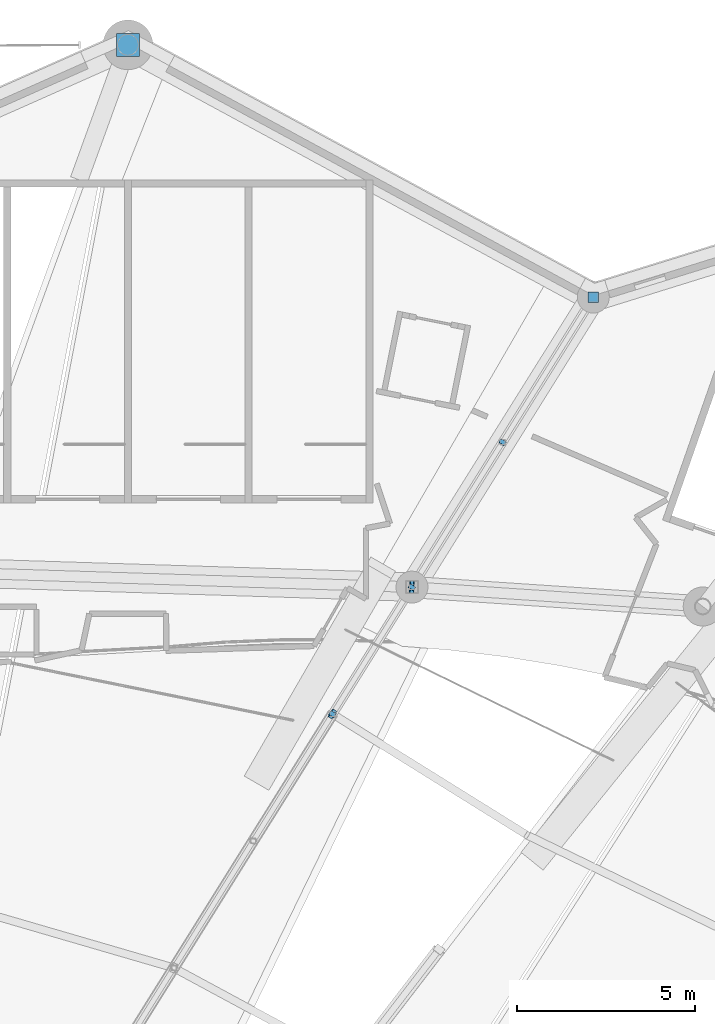
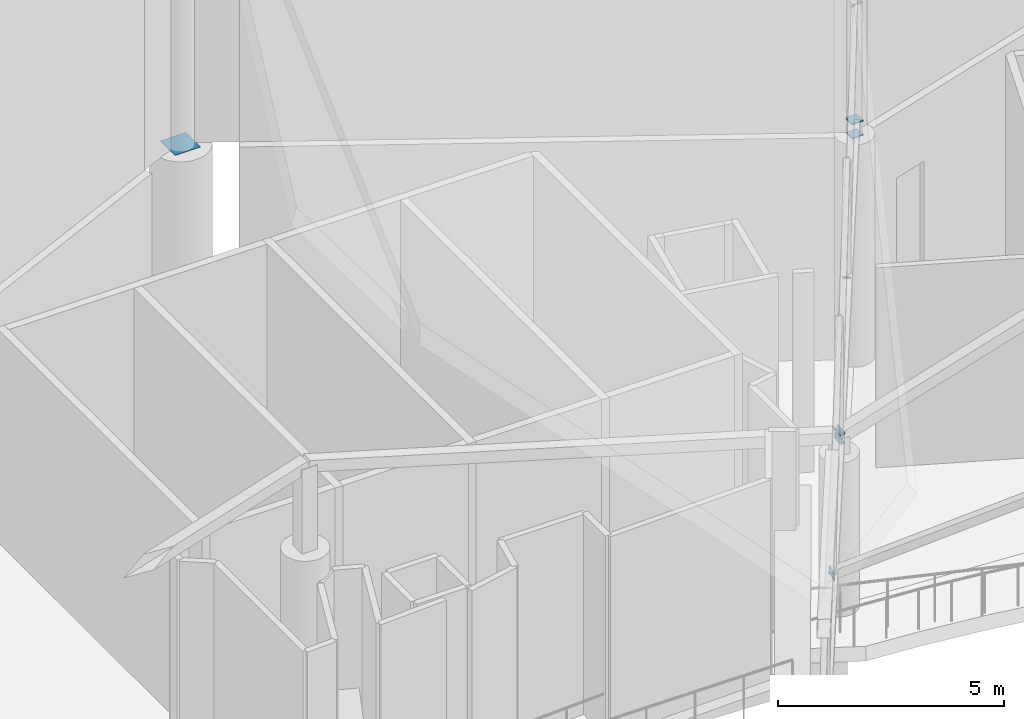
# One storey, part 336 of 344: 10 discrete accessories.
"""IFC4 building model written with IfcOpenShell, lengths in metres."""

import ifcopenshell
import ifcopenshell.guid

model = None  # the IFC model being written
_history = None  # IfcOwnerHistory: only IFC2X3 demands one
_inside = {}  # id of a spatial element -> (the spatial element, [elements in it])
_under = {}  # id of a project, library or spatial element -> (it, [spatial elements below it])
_declared = {}  # id of a project -> (the project, [libraries it declares])
_typed = {}  # id of a type object -> (the type object, [elements of that type])
_made_of = {}  # id of a material, layer set ... -> (it, [elements and type objects made of it])


def new_model(schema):
    """Start an empty IFC model of exactly this schema.

    Asked for "IFC4X3", IfcOpenShell would pick the latest addendum, in which some entities
    have other attributes; the version numbers below select the first issue.
    IFC2X3 requires an IfcOwnerHistory on every rooted entity: one is made here for all.
    """
    global model, _history
    if schema == "IFC4X3":
        model = ifcopenshell.file(schema_version=(4, 3, 0, 0))
    else:
        model = ifcopenshell.file(schema=schema)
    _inside.clear()
    _under.clear()
    _declared.clear()
    _typed.clear()
    _made_of.clear()
    _history = None
    if model.schema == "IFC2X3":
        org = make("IfcOrganization", Name="unknown")
        user = make(
            "IfcPersonAndOrganization",
            ThePerson=make("IfcPerson", FamilyName="unknown"),
            TheOrganization=org,
        )
        app = make(
            "IfcApplication",
            ApplicationDeveloper=org,
            Version="unknown",
            ApplicationFullName="unknown",
            ApplicationIdentifier="unknown",
        )
        _history = make(
            "IfcOwnerHistory",
            OwningUser=user,
            OwningApplication=app,
            ChangeAction="ADDED",
            CreationDate=0,
        )
    return model


def make(cls, **values):
    """One entity of the class cls with the attributes given. An attribute that is None is left unset."""
    return model.create_entity(
        cls, **{name: value for name, value in values.items() if value is not None}
    )


def rooted(cls, **values):
    """An entity with a GlobalId (a new one), such as an element, a storey or a relation."""
    return make(cls, GlobalId=ifcopenshell.guid.new(), OwnerHistory=_history, **values)


def si_unit(unit_type, name, prefix=None):
    """IfcSIUnit, for example si_unit("LENGTHUNIT", "METRE", prefix="MILLI")."""
    return make("IfcSIUnit", UnitType=unit_type, Prefix=prefix, Name=name)


def assignment(units):
    """IfcUnitAssignment: the units of a project."""
    return None if units is None else make("IfcUnitAssignment", Units=units)


def point(xyz):
    """IfcCartesianPoint."""
    return None if xyz is None else make("IfcCartesianPoint", Coordinates=xyz)


def direction(xyz):
    """IfcDirection."""
    return None if xyz is None else make("IfcDirection", DirectionRatios=xyz)


def frame(location, z_axis=None, x_axis=None):
    """IfcAxis2Placement3D, a coordinate frame: its origin and axes. An axis left out is left unset."""
    return make(
        "IfcAxis2Placement3D",
        Location=point(location),
        Axis=direction(z_axis),
        RefDirection=direction(x_axis),
    )


def frame_2d(location, x_axis=None):
    """IfcAxis2Placement2D, a coordinate frame in the plane: its origin and x axis."""
    return make(
        "IfcAxis2Placement2D", Location=point(location), RefDirection=direction(x_axis)
    )


def origin():
    """The frame at (0, 0, 0) with its axes left unset."""
    return frame((0.0, 0.0, 0.0))


def origin_2d():
    """The frame at (0, 0) in the plane with its x axis left unset."""
    return frame_2d((0.0, 0.0))


def place(relative_to, where):
    """IfcLocalPlacement: puts the frame where relative to a parent placement (None: the world)."""
    return make(
        "IfcLocalPlacement", PlacementRelTo=relative_to, RelativePlacement=where
    )


def context(
    kind, dimensions, precision=None, world=None, true_north=None, identifier=None
):
    """IfcGeometricRepresentationContext, for example the 3D "Model" context."""
    return make(
        "IfcGeometricRepresentationContext",
        ContextIdentifier=identifier,
        ContextType=kind,
        CoordinateSpaceDimension=dimensions,
        Precision=precision,
        WorldCoordinateSystem=world,
        TrueNorth=true_north,
    )


def subcontext(parent, identifier, kind, view, scale=None):
    """IfcGeometricRepresentationSubContext, for example "Body" below "Model"."""
    return make(
        "IfcGeometricRepresentationSubContext",
        ContextIdentifier=identifier,
        ContextType=kind,
        ParentContext=parent,
        TargetScale=scale,
        TargetView=view,
    )


def project(units=None, contexts=None):
    """IfcProject with its units and contexts."""
    return rooted(
        "IfcProject",
        Name="project",
        RepresentationContexts=contexts,
        UnitsInContext=assignment(units),
    )


def spatial(cls, under=None, at=None, **own):
    """A site, building, storey or space (cls), placed at a placement, below another one or the project."""
    s = rooted(cls, ObjectPlacement=at, **own)
    if under is not None:
        _under.setdefault(under.id(), (under, []))[1].append(s)
    return s


def profile(cls, at=None, kind="AREA", **sizes):
    """A parametric profile (cls). Its sizes go by their IFC names, for example OverallWidth=200.0."""
    return make(cls, ProfileType=kind, Position=at, **sizes)


def rectangle(**sizes):
    """IfcRectangleProfileDef."""
    return profile("IfcRectangleProfileDef", **sizes)


def extrude(swept, where, along, depth):
    """IfcExtrudedAreaSolid: the profile swept, set in the frame where, extruded along a direction by depth."""
    return make(
        "IfcExtrudedAreaSolid",
        SweptArea=swept,
        Position=where,
        ExtrudedDirection=direction(along),
        Depth=depth,
    )


def shape(context_of_items, identifier, shape_type, items):
    """IfcShapeRepresentation: the items that make up one representation, for example the "Body"."""
    return make(
        "IfcShapeRepresentation",
        ContextOfItems=context_of_items,
        RepresentationIdentifier=identifier,
        RepresentationType=shape_type,
        Items=items,
    )


def material(Name=None, Category=None):
    """IfcMaterial."""
    return make("IfcMaterial", Name=Name, Category=Category)


def material_profile(
    of_material, cross_section, Name=None, Category=None, Priority=None
):
    """IfcMaterialProfile: a cross section and its material."""
    return make(
        "IfcMaterialProfile",
        Name=Name,
        Material=of_material,
        Profile=cross_section,
        Priority=Priority,
        Category=Category,
    )


def profile_set(profiles, Name=None, composite=None):
    """IfcMaterialProfileSet."""
    return make(
        "IfcMaterialProfileSet",
        Name=Name,
        MaterialProfiles=profiles,
        CompositeProfile=composite,
    )


def made_of(thing, what):
    """Note that an element or type object is made of a material, layer set ...; save() writes the relation."""
    if what is not None:
        _made_of.setdefault(what.id(), (what, []))[1].append(thing)
    return thing


def type_object(cls, material=None, **own):
    """A type object (cls), such as IfcWallType, which elements share."""
    return made_of(rooted(cls, **own), material)


def element(
    cls,
    number,
    at=None,
    inside=None,
    cuts=None,
    type_object=None,
    material=None,
    context=None,
    identifier="Body",
    shape_type=None,
    held_by="IfcProductDefinitionShape",
    body=None,
    shapes=None,
    **own,
):
    """One element of the class cls, such as IfcWall. Its Tag is "e" and its number.

    at: its placement. inside: the storey or other place that contains it. cuts: it is an
    opening in that element (IfcRelVoidsElement). A single representation is given by context,
    identifier, shape_type and body (its items); several are given by shapes. held_by: the class
    of the entity that holds the representations. save() writes the other relations.
    """
    e = rooted(cls, Tag="e%d" % number, ObjectPlacement=at, **own)
    if body is not None:
        shapes = [shape(context, identifier, shape_type, body)]
    if shapes is not None:
        e.Representation = make(held_by, Representations=shapes)
    if inside is not None:
        _inside.setdefault(inside.id(), (inside, []))[1].append(e)
    if cuts is not None:
        rooted(
            "IfcRelVoidsElement", RelatingBuildingElement=cuts, RelatedOpeningElement=e
        )
    if type_object is not None:
        _typed.setdefault(type_object.id(), (type_object, []))[1].append(e)
    return made_of(e, material)


def aggregate(whole, parts):
    """IfcRelAggregates: a whole, such as a stair, and the parts it consists of."""
    return rooted("IfcRelAggregates", RelatingObject=whole, RelatedObjects=parts)


def save(model, path):
    """Write the relations noted so far, then the file.

    IfcRelAggregates (storeys below a building ...), IfcRelContainedInSpatialStructure (elements
    in a storey), IfcRelDefinesByType, IfcRelAssociatesMaterial and IfcRelDeclares: one each for
    every whole, place, type object, material and project.
    """
    for whole, parts in _under.values():
        aggregate(whole, parts)
    for where, things in _inside.values():
        rooted(
            "IfcRelContainedInSpatialStructure",
            RelatedElements=things,
            RelatingStructure=where,
        )
    for kind, things in _typed.values():
        rooted("IfcRelDefinesByType", RelatedObjects=things, RelatingType=kind)
    for what, things in _made_of.values():
        rooted("IfcRelAssociatesMaterial", RelatedObjects=things, RelatingMaterial=what)
    for by, libraries in _declared.values():
        rooted("IfcRelDeclares", RelatingContext=by, RelatedDefinitions=libraries)
    model.write(path)


model = new_model("IFC4")

# Units and contexts
model_context = context("Model", 3, precision=1e-05, world=origin(), true_north=direction((0.0, 1.0)))
body_context = subcontext(model_context, "Body", "Model", "MODEL_VIEW")
ifc_project = project(units=[si_unit("LENGTHUNIT", "METRE"), si_unit("AREAUNIT", "SQUARE_METRE"), si_unit("VOLUMEUNIT", "CUBIC_METRE"), si_unit("PLANEANGLEUNIT", "RADIAN"), si_unit("MASSUNIT", "GRAM", prefix="KILO")], contexts=[model_context])

# Site, building, storey
site_placement = place(None, origin())
site = spatial("IfcSite", under=ifc_project, at=site_placement, CompositionType="ELEMENT")
building_placement = place(site_placement, origin())
building = spatial("IfcBuilding", under=site, at=building_placement, Name="Meseta Stadium", CompositionType="ELEMENT")
storey_placement = place(building_placement, frame((0.0, 0.0, 24.0)))
storey = spatial("IfcBuildingStorey", under=building, at=storey_placement, Name="L04", CompositionType="ELEMENT", Elevation=24.0)

# Discrete accessories
ifc_material_1 = material(Name="Steel S355", Category="steel")
ifc_material_profile_1 = material_profile(ifc_material_1, rectangle(XDim=0.179931640625, YDim=0.179931640625, at=origin_2d()), Name="PL 180x180")
ifc_profile_set_1 = profile_set([ifc_material_profile_1], Name="Steel S355")
discrete_accessory_type_1 = type_object("IfcDiscreteAccessoryType", Name="End plate 180x180x20", PredefinedType="ANCHORPLATE", material=ifc_profile_set_1)
discrete_accessory_1_placement = place(storey_placement, frame((44.089599609375, 86.538818359375, 3.805908203125), z_axis=(0.381670375162, 0.615597379294, 0.68946906481), x_axis=(-0.849902691712, 0.526939668862, 0.0)))
element("IfcDiscreteAccessory", 1, at=discrete_accessory_1_placement, inside=storey, type_object=discrete_accessory_type_1, Name="End plate of ROOF TRUSS RT-15 diagonal", PredefinedType="ANCHORPLATE", context=body_context, shape_type="SweptSolid", body=[
    extrude(rectangle(XDim=0.179931640625, YDim=0.179931640625, at=origin_2d()), origin(), (0.0, 0.0, 1.0), 0.019775390625),
])
discrete_accessory_2_placement = place(storey_placement, frame((46.324951171875, 90.11328125, 4.58544921875), z_axis=(0.413101070966, 0.643951669447, 0.643951669447), x_axis=(-0.841694082266, 0.539954694284, 0.0)))
element("IfcDiscreteAccessory", 2, at=discrete_accessory_2_placement, inside=storey, type_object=discrete_accessory_type_1, Name="End plate of ROOF TRUSS RT-15 diagonal", PredefinedType="ANCHORPLATE", context=body_context, shape_type="SweptSolid", body=[
    extrude(rectangle(XDim=0.179931640625, YDim=0.179931640625, at=origin_2d()), origin(), (0.0, 0.0, 1.0), 0.02001953125),
])
discrete_accessory_3_placement = place(storey_placement, frame((48.879150390625, 94.197509765625, 5.47509765625), z_axis=(0.40614038847, 0.639978793953, 0.652286078453), x_axis=(-0.844329420183, 0.535824439731, 0.0)))
element("IfcDiscreteAccessory", 3, at=discrete_accessory_3_placement, inside=storey, type_object=discrete_accessory_type_1, Name="End plate of ROOF TRUSS RT-15 diagonal", PredefinedType="ANCHORPLATE", context=body_context, shape_type="SweptSolid", body=[
    extrude(rectangle(XDim=0.179931640625, YDim=0.179931640625, at=origin_2d()), origin(), (0.0, 0.0, 1.0), 0.019775390625),
])
ifc_material_2 = material(Name="Steel S355", Category="steel")
ifc_material_profile_2 = material_profile(ifc_material_2, rectangle(XDim=0.260009765625, YDim=0.260009765625, at=origin_2d()), Name="PL 260x260")
ifc_profile_set_2 = profile_set([ifc_material_profile_2], Name="Steel S355")
discrete_accessory_type_2 = type_object("IfcDiscreteAccessoryType", Name="End plate 260x260x20", PredefinedType="ANCHORPLATE", material=ifc_profile_set_2)
discrete_accessory_4_placement = place(storey_placement, frame((44.09716796875, 86.551025390625, 3.819580078125), z_axis=(-0.759664746416, 0.47785363081, -0.44109565921), x_axis=(-0.532451118741, -0.846460752871, 0.0)))
element("IfcDiscreteAccessory", 4, at=discrete_accessory_4_placement, inside=storey, type_object=discrete_accessory_type_2, Name="End plate of ROOF TRUSS STRUT RT-14/15", PredefinedType="ANCHORPLATE", context=body_context, shape_type="SweptSolid", body=[
    extrude(rectangle(XDim=0.260009765625, YDim=0.260009765625, at=origin_2d()), origin(), (0.0, 0.0, 1.0), 0.02001953125),
])
ifc_material_3 = material(Name="Steel S355", Category="steel")
ifc_material_profile_3 = material_profile(ifc_material_3, rectangle(XDim=0.2900390625, YDim=0.2900390625, at=origin_2d()), Name="PL 290x290")
ifc_profile_set_3 = profile_set([ifc_material_profile_3], Name="Steel S355")
discrete_accessory_type_3 = type_object("IfcDiscreteAccessoryType", Name="End plate 290x290x20", PredefinedType="ANCHORPLATE", material=ifc_profile_set_3)
for number, where, z_axis, x_axis, name in (
    (5, (51.44140625, 98.29443359375, 6.357666015625), (0.0, 0.0, 1.0), (1.0, 0.0, 0.0), "End plate of ROOF TRUSS RT-15 post"),
    (6, (51.44140625, 98.29443359375, 5.97998046875), (0.0, 0.0, 1.0), (1.0, 0.0, 0.0), "End plate of ROOF RIM POST RT-15"),
    (7, (51.44140625, 98.29443359375, 6.377685546875), (0.0, 0.0, 1.0), (1.0, 0.0, 0.0), "End plate of ROOF RIM POST RT-15"),
):
    element("IfcDiscreteAccessory", number, at=place(storey_placement, frame(where, z_axis=z_axis, x_axis=x_axis)), inside=storey, type_object=discrete_accessory_type_3, Name=name, PredefinedType="ANCHORPLATE", context=body_context, shape_type="SweptSolid", body=[
        extrude(rectangle(XDim=0.2900390625, YDim=0.2900390625, at=origin_2d()), origin(), (0.0, 0.0, 1.0), 0.02001953125),
    ])
ifc_material_4 = material(Name="Steel S355", Category="steel")
ifc_material_profile_4 = material_profile(ifc_material_4, rectangle(XDim=0.340087890625, YDim=0.340087890625, at=origin_2d()), Name="PL 340x340")
ifc_profile_set_4 = profile_set([ifc_material_profile_4], Name="Steel S355")
discrete_accessory_type_4 = type_object("IfcDiscreteAccessoryType", Name="End plate 340x340x20", PredefinedType="ANCHORPLATE", material=ifc_profile_set_4)
for number, where, z_axis, x_axis, name in (
    (8, (46.333251953125, 90.126220703125, 4.598388671875), (-0.934105640733, 0.060656210437, -0.351806020536), (-0.064798594974, -0.997898362605, 0.0), "End plate of ROOF PIVOT STRUT RT-14/15"),
    (9, (46.3525390625, 90.125732421875, 4.593017578125), (-0.963056633824, 0.024381180603, 0.268192986635), (-0.025308346645, -0.999679692497, 0.0), "End plate of ROOF PIVOT STRUT RT-15/16"),
):
    element("IfcDiscreteAccessory", number, at=place(storey_placement, frame(where, z_axis=z_axis, x_axis=x_axis)), inside=storey, type_object=discrete_accessory_type_4, Name=name, PredefinedType="ANCHORPLATE", context=body_context, shape_type="SweptSolid", body=[
        extrude(rectangle(XDim=0.340087890625, YDim=0.340087890625, at=origin_2d()), origin(), (0.0, 0.0, 1.0), 0.02001953125),
    ])
ifc_material_5 = material(Name="Steel S355", Category="steel")
ifc_material_profile_5 = material_profile(ifc_material_5, rectangle(XDim=0.64990234375, YDim=0.64990234375, at=origin_2d()), Name="PL 650x650")
ifc_profile_set_5 = profile_set([ifc_material_profile_5], Name="Steel S355")
discrete_accessory_type_5 = type_object("IfcDiscreteAccessoryType", Name="End plate 650x650x20", PredefinedType="ANCHORPLATE", material=ifc_profile_set_5)
discrete_accessory_5_placement = place(storey_placement, frame((38.333251953125, 105.39990234375, 5.97998046875), z_axis=(0.0, 0.0, 1.0), x_axis=(1.0, 0.0, 0.0)))
element("IfcDiscreteAccessory", 10, at=discrete_accessory_5_placement, inside=storey, type_object=discrete_accessory_type_5, Name="End plate of GABLE ARCH GA-N pylon post", PredefinedType="ANCHORPLATE", context=body_context, shape_type="SweptSolid", body=[
    extrude(rectangle(XDim=0.64990234375, YDim=0.64990234375, at=origin_2d()), origin(), (0.0, 0.0, 1.0), 0.02001953125),
])

save(model, "model.ifc")
